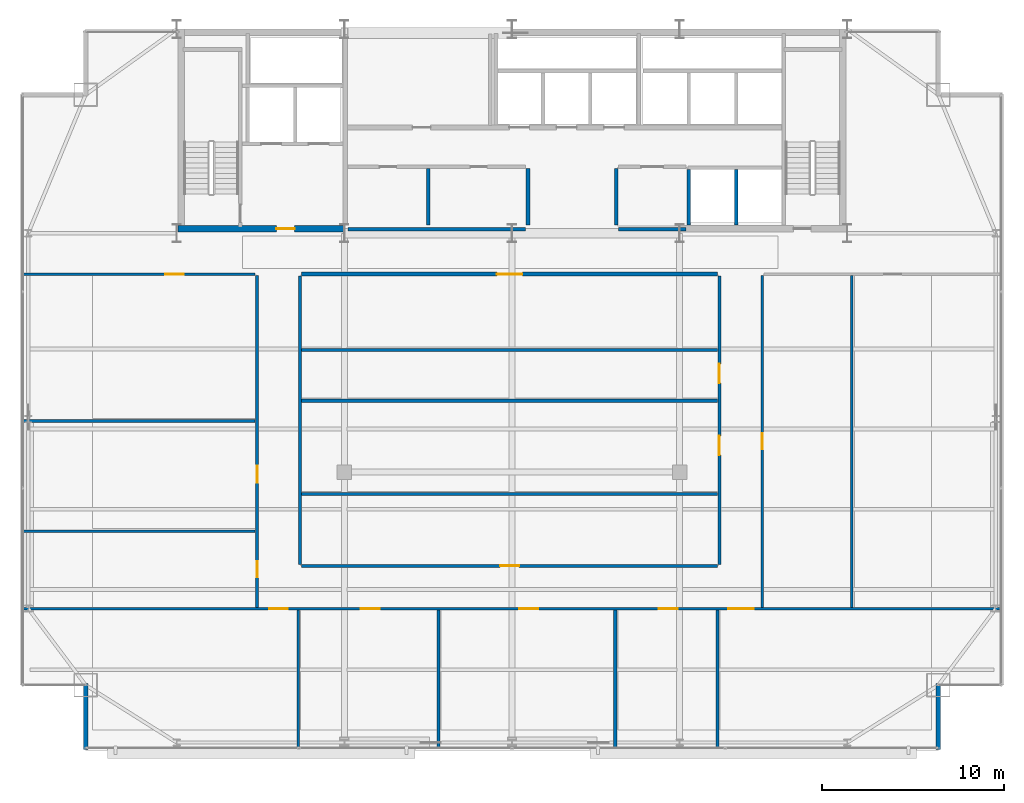
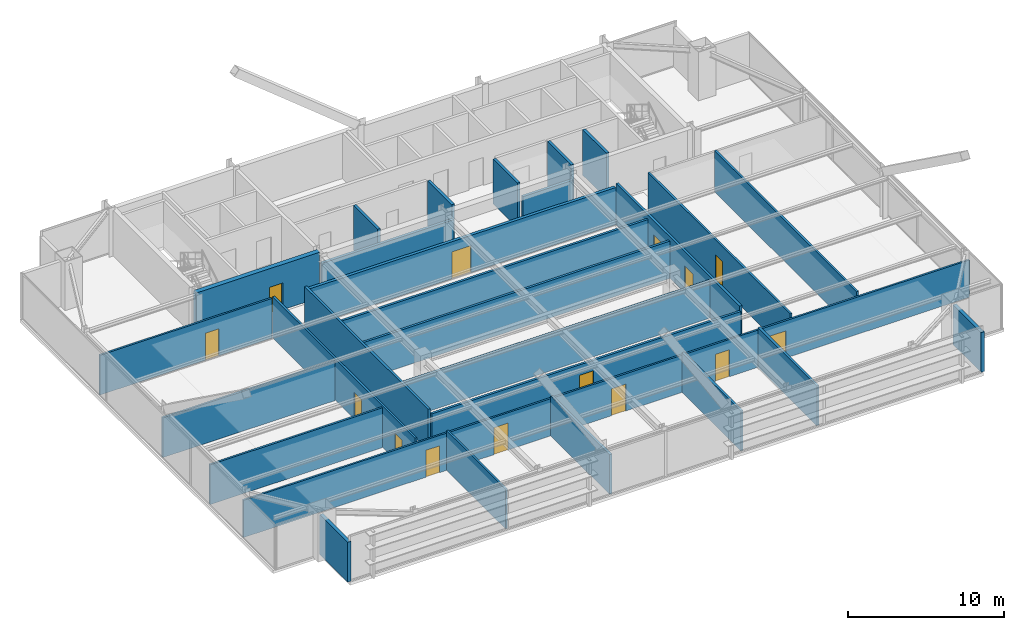
# One storey, part 26 of 30: 28 walls, 14 doors, 14 openings.
"""IFC4 building model written with IfcOpenShell, lengths in metres."""

from ifc_helpers import new_model, si_unit, direction, frame, frame_2d, origin, place, context, subcontext, project, spatial, rectangle, extrude, source, transform, mapped, material, layer, layer_set, type_object, type_shapes, element, fill, save


model = new_model("IFC4")

# Units and contexts
model_context = context("Model", 3, precision=1e-05, world=origin(), true_north=direction((0.0, 1.0)))
body_context = subcontext(model_context, "Body", "Model", "MODEL_VIEW")
ifc_project = project(units=[si_unit("LENGTHUNIT", "METRE"), si_unit("AREAUNIT", "SQUARE_METRE"), si_unit("VOLUMEUNIT", "CUBIC_METRE"), si_unit("PLANEANGLEUNIT", "RADIAN"), si_unit("MASSUNIT", "GRAM", prefix="KILO")], contexts=[model_context])

# Site, building, storey
site_placement = place(None, origin())
site = spatial("IfcSite", under=ifc_project, at=site_placement, CompositionType="ELEMENT")
building_placement = place(site_placement, origin())
building = spatial("IfcBuilding", under=site, at=building_placement, Name="Varnel Quay Broadcast Tower", CompositionType="ELEMENT")
storey_placement = place(building_placement, frame((0.0, 0.0, 180.0)))
storey = spatial("IfcBuildingStorey", under=building, at=storey_placement, Name="L44", CompositionType="ELEMENT", Elevation=180.0)

# Walls
ifc_material_1 = material(Name="Concrete CSA A23.3 C50/60", Category="concrete")
ifc_layer_1 = layer(ifc_material_1, 0.199951171875, Name="Concrete CSA A23.3 C50/60")
ifc_layer_set_1 = layer_set([ifc_layer_1], Name="Concrete CSA A23.3 C50/60")
wall_type_1 = type_object("IfcWallType", Name="Wall_CoreShaftShear200", PredefinedType="SHEAR", material=ifc_layer_set_1)
for number, where, z_axis, x_axis, name in (
    (1, (43.699951171875, 36.050048828125, 0.0), (0.0, 0.0, 1.0), (0.0, 1.0, 0.0), "L44 Express Lift Shaft West Wall"),
    (2, (46.300048828125, 36.050048828125, 0.0), (0.0, 0.0, 1.0), (0.0, 1.0, 0.0), "L44 Express Lift Shaft Divider"),
):
    element("IfcWall", number, at=place(storey_placement, frame(where, z_axis=z_axis, x_axis=x_axis)), inside=storey, type_object=wall_type_1, Name=name, PredefinedType="SHEAR", context=body_context, shape_type="SweptSolid", body=[
        extrude(rectangle(XDim=3.050048828125, YDim=0.199951171875, at=frame_2d((1.52490234375, 0.0))), origin(), (0.0, 0.0, 1.0), 3.550048828125),
    ])

# Wall, opening, door
ifc_layer_2 = layer(ifc_material_1, 0.35009765625, Name="Concrete CSA A23.3 C50/60")
ifc_layer_set_2 = layer_set([ifc_layer_2], Name="Concrete CSA A23.3 C50/60")
wall_type_2 = type_object("IfcWallType", Name="Wall_CoreShearInt350", PredefinedType="SHEAR", material=ifc_layer_set_2)
wall_1_placement = place(storey_placement, frame((15.669921875, 35.844970703125, 0.0), z_axis=(0.0, 0.0, 1.0), x_axis=(1.0, 0.0, 0.0)))
wall_1 = element("IfcWall", 3, at=wall_1_placement, inside=storey, type_object=wall_type_2, Name="L44 South-West Core Shear Wall", PredefinedType="SHEAR", context=body_context, shape_type="SweptSolid", body=[
    extrude(rectangle(XDim=9.130126953125, YDim=0.35009765625, at=frame_2d((4.56494140625, 0.0))), origin(), (0.0, 0.0, 1.0), 3.550048828125),
])
opening_1_placement = place(wall_1_placement, frame((5.39990234375, 0.0, 0.0)))
opening_1 = element("IfcOpeningElement", 4, at=opening_1_placement, cuts=wall_1, Name="Opening D-L44-FFL", PredefinedType="OPENING", context=body_context, shape_type="SweptSolid", body=[
    extrude(rectangle(XDim=1.0, YDim=2.10009765625, at=frame_2d((0.5, 1.050048828125))), frame((0.0, 0.18505859375, 0.0), z_axis=(0.0, -1.0, 0.0), x_axis=(1.0, 0.0, 0.0)), (0.0, 0.0, 1.0), 0.3701171875),
])
ifc_material_2 = material(Name="Insulated Fire-Rated Hollow Steel Door", Category="steel")
door_type_1 = type_object("IfcDoorType", Name="Door_FireLobby1000", OperationType="NOTDEFINED", PredefinedType="DOOR", material=ifc_material_2)
shared_shape_1 = source(origin(), body_context, "Body", "SweptSolid", [
    extrude(rectangle(XDim=1.0, YDim=2.10009765625, at=frame_2d((0.5, 1.050048828125))), frame((0.0, 0.02490234375, 0.0), z_axis=(0.0, -1.0, 0.0), x_axis=(1.0, 0.0, 0.0)), (0.0, 0.0, 1.0), 0.050048828125),
])
type_shapes(door_type_1, [shared_shape_1])
door_1_placement = place(opening_1_placement, origin())
door_1 = element("IfcDoor", 5, at=door_1_placement, inside=storey, type_object=door_type_1, Name="L44 Firefighting Lobby Door", OperationType="SINGLE_SWING_LEFT", OverallHeight=2.10009765625, OverallWidth=1.0, PredefinedType="DOOR", context=body_context, shape_type="MappedRepresentation", body=[
    mapped(shared_shape_1, transform((0.0, 0.0, 0.0), x_axis=(1.0, 0.0, 0.0), y_axis=(0.0, 1.0, 0.0), z_axis=(0.0, 0.0, 1.0), scale=1.0)),
])
fill(opening_1, door_1)

# Walls
ifc_material_3 = material(Name="Precast Architectural Concrete C40/50", Category="concrete")
ifc_layer_3 = layer(ifc_material_3, 0.25, Name="Precast Architectural Concrete C40/50")
ifc_layer_set_3 = layer_set([ifc_layer_3], Name="Precast Architectural Concrete C40/50")
wall_type_3 = type_object("IfcWallType", Name="Wall_ExtTerrace250", PredefinedType="SOLIDWALL", material=ifc_layer_set_3)
for number, where, z_axis, x_axis, name in (
    (6, (10.60009765625, 7.280029296875, 0.0), (0.0, 0.0, 1.0), (0.0, 1.0, 0.0), "L44 Mega-Column Notch Cladding Wall NSW2"),
    (7, (57.39990234375, 7.280029296875, 0.0), (0.0, 0.0, 1.0), (0.0, 1.0, 0.0), "L44 Mega-Column Notch Cladding Wall NSE2"),
):
    element("IfcWall", number, at=place(storey_placement, frame(where, z_axis=z_axis, x_axis=x_axis)), inside=storey, type_object=wall_type_3, Name=name, PredefinedType="SOLIDWALL", context=body_context, shape_type="SweptSolid", body=[
        extrude(rectangle(XDim=3.599853515625, YDim=0.25, at=frame_2d((1.7998046875, 0.0))), origin(), (0.0, 0.0, 1.0), 3.10791015625),
    ])
ifc_material_4 = material(Name="Concrete Blockwork Fire Enclosure C40/50", Category="masonry")
ifc_layer_4 = layer(ifc_material_4, 0.199951171875, Name="Concrete Blockwork Fire Enclosure C40/50")
ifc_layer_set_4 = layer_set([ifc_layer_4], Name="Concrete Blockwork Fire Enclosure C40/50")
wall_type_4 = type_object("IfcWallType", Name="Wall_FireShaft200", PredefinedType="SOLIDWALL", material=ifc_layer_set_4)
wall_2_placement = place(storey_placement, frame((39.85009765625, 35.824951171875, 0.0), z_axis=(0.0, 0.0, 1.0), x_axis=(1.0, 0.0, 0.0)))
element("IfcWall", 8, at=wall_2_placement, inside=storey, type_object=wall_type_4, Name="L44 Electrical Sub-Distribution Closet Partition 5", PredefinedType="SOLIDWALL", context=body_context, shape_type="SweptSolid", body=[
    extrude(rectangle(XDim=3.699951171875, YDim=0.199951171875, at=frame_2d((1.85009765625, 0.0))), origin(), (0.0, 0.0, 1.0), 2.574951171875),
])
wall_3_placement = place(storey_placement, frame((39.72509765625, 36.050048828125, 0.0), z_axis=(0.0, 0.0, 1.0), x_axis=(0.0, 1.0, 0.0)))
element("IfcWall", 9, at=wall_3_placement, inside=storey, type_object=wall_type_4, Name="L44 Electrical Sub-Distribution Closet Partition 7", PredefinedType="SOLIDWALL", context=body_context, shape_type="SweptSolid", body=[
    extrude(rectangle(XDim=3.099853515625, YDim=0.199951171875, at=frame_2d((1.5498046875, 0.0))), origin(), (0.0, 0.0, 1.0), 3.530029296875),
])
ifc_material_5 = material(Name="Steel-Stud Fire-Rated Acoustic Gypsum Partition Assembly", Category="steel")
ifc_layer_5 = layer(ifc_material_5, 0.139892578125, Name="Steel-Stud Fire-Rated Acoustic Gypsum Partition Assembly")
ifc_layer_set_5 = layer_set([ifc_layer_5], Name="Steel-Stud Fire-Rated Acoustic Gypsum Partition Assembly")
wall_type_5 = type_object("IfcWallType", Name="Wall_Partition140", PredefinedType="PARTITIONING", material=ifc_layer_set_5)
wall_4_placement = place(storey_placement, frame((22.260009765625, 7.3798828125, 0.0), z_axis=(0.0, 0.0, 1.0), x_axis=(0.0, 1.0, 0.0)))
element("IfcWall", 10, at=wall_4_placement, inside=storey, type_object=wall_type_5, Name="L44 Reading Lounge 1 Partition 8", PredefinedType="PARTITIONING", context=body_context, shape_type="SweptSolid", body=[
    extrude(rectangle(XDim=7.5400390625, YDim=0.139892578125, at=frame_2d((3.77001953125, 0.0))), origin(), (0.0, 0.0, 1.0), 3.10791015625),
])

# Wall, openings, doors
wall_5_placement = place(storey_placement, frame((7.179931640625, 14.989990234375, 0.0), z_axis=(0.0, 0.0, 1.0), x_axis=(1.0, 0.0, 0.0)))
wall_5 = element("IfcWall", 11, at=wall_5_placement, inside=storey, type_object=wall_type_5, Name="L44 Reading Lounge 1 Partition 9", PredefinedType="PARTITIONING", context=body_context, shape_type="SweptSolid", body=[
    extrude(rectangle(XDim=53.64013671875, YDim=0.139892578125, at=frame_2d((26.820068359375, 0.0))), origin(), (0.0, 0.0, 1.0), 2.908935546875),
])
opening_2_placement = place(wall_5_placement, frame((13.5048828125, 0.0, 0.0)))
opening_2 = element("IfcOpeningElement", 12, at=opening_2_placement, cuts=wall_5, Name="Opening D-L44-04", PredefinedType="OPENING", context=body_context, shape_type="SweptSolid", body=[
    extrude(rectangle(XDim=1.0, YDim=2.10009765625, at=frame_2d((0.5, 1.050048828125))), frame((0.0, 0.080078125, 0.0), z_axis=(0.0, -1.0, 0.0), x_axis=(1.0, 0.0, 0.0)), (0.0, 0.0, 1.0), 0.159912109375),
])
opening_3_placement = place(wall_5_placement, frame((18.510009765625, 0.0, 0.0)))
opening_3 = element("IfcOpeningElement", 13, at=opening_3_placement, cuts=wall_5, Name="Opening D-L44-05", PredefinedType="OPENING", context=body_context, shape_type="SweptSolid", body=[
    extrude(rectangle(XDim=1.050048828125, YDim=2.10009765625, at=frame_2d((0.52490234375, 1.050048828125))), frame((0.0, 0.080078125, 0.0), z_axis=(0.0, -1.0, 0.0), x_axis=(1.0, 0.0, 0.0)), (0.0, 0.0, 1.0), 0.159912109375),
])
opening_4_placement = place(wall_5_placement, frame((27.215087890625, 0.0, 0.0)))
opening_4 = element("IfcOpeningElement", 14, at=opening_4_placement, cuts=wall_5, Name="Opening D-L44-06", PredefinedType="OPENING", context=body_context, shape_type="SweptSolid", body=[
    extrude(rectangle(XDim=1.050048828125, YDim=2.10009765625, at=frame_2d((0.52490234375, 1.050048828125))), frame((0.0, 0.080078125, 0.0), z_axis=(0.0, -1.0, 0.0), x_axis=(1.0, 0.0, 0.0)), (0.0, 0.0, 1.0), 0.159912109375),
])
opening_5_placement = place(wall_5_placement, frame((34.8701171875, 0.0, 0.0)))
opening_5 = element("IfcOpeningElement", 15, at=opening_5_placement, cuts=wall_5, Name="Opening D-L44-07", PredefinedType="OPENING", context=body_context, shape_type="SweptSolid", body=[
    extrude(rectangle(XDim=1.050048828125, YDim=2.10009765625, at=frame_2d((0.52490234375, 1.050048828125))), frame((0.0, 0.080078125, 0.0), z_axis=(0.0, -1.0, 0.0), x_axis=(1.0, 0.0, 0.0)), (0.0, 0.0, 1.0), 0.159912109375),
])
opening_6_placement = place(wall_5_placement, frame((38.675048828125, 0.0, 0.0)))
opening_6 = element("IfcOpeningElement", 16, at=opening_6_placement, cuts=wall_5, Name="Opening D-L44-08", PredefinedType="OPENING", context=body_context, shape_type="SweptSolid", body=[
    extrude(rectangle(XDim=1.39990234375, YDim=2.1201171875, at=frame_2d((0.699951171875, 1.06005859375))), frame((0.0, 0.080078125, 0.0), z_axis=(0.0, -1.0, 0.0), x_axis=(1.0, 0.0, 0.0)), (0.0, 0.0, 1.0), 0.159912109375),
])
ifc_material_6 = material(Name="Solid-Core Fire-Rated Acoustic Oak Veneer Door", Category="wood")
door_type_2 = type_object("IfcDoorType", Name="Door_Exec1000", OperationType="NOTDEFINED", PredefinedType="DOOR", material=ifc_material_6)
shared_shape_2 = source(origin(), body_context, "Body", "SweptSolid", [
    extrude(rectangle(XDim=1.0, YDim=2.10009765625, at=frame_2d((0.5, 1.050048828125))), frame((0.0, 0.02490234375, 0.0), z_axis=(0.0, -1.0, 0.0), x_axis=(1.0, 0.0, 0.0)), (0.0, 0.0, 1.0), 0.050048828125),
])
type_shapes(door_type_2, [shared_shape_2])
door_2_placement = place(opening_2_placement, frame((1.0, 0.0, 0.0), z_axis=(0.0, 0.0, 1.0), x_axis=(-1.0, 0.0, 0.0)))
door_2 = element("IfcDoor", 17, at=door_2_placement, inside=storey, type_object=door_type_2, Name="L44 Reading Lounge 1 Door D-L44-04", OperationType="SINGLE_SWING_LEFT", OverallHeight=2.10009765625, OverallWidth=1.0, PredefinedType="DOOR", context=body_context, shape_type="MappedRepresentation", body=[
    mapped(shared_shape_2, transform((0.0, 0.0, 0.0), x_axis=(1.0, 0.0, 0.0), y_axis=(0.0, 1.0, 0.0), z_axis=(0.0, 0.0, 1.0), scale=1.0)),
])
fill(opening_2, door_2)
door_type_3 = type_object("IfcDoorType", Name="Door_Meeting1050", OperationType="NOTDEFINED", PredefinedType="DOOR", material=ifc_material_6)
shared_shape_3 = source(origin(), body_context, "Body", "SweptSolid", [
    extrude(rectangle(XDim=1.050048828125, YDim=2.10009765625, at=frame_2d((0.52490234375, 1.050048828125))), frame((0.0, 0.02490234375, 0.0), z_axis=(0.0, -1.0, 0.0), x_axis=(1.0, 0.0, 0.0)), (0.0, 0.0, 1.0), 0.050048828125),
])
type_shapes(door_type_3, [shared_shape_3])
door_3_placement = place(opening_3_placement, frame((1.050048828125, 0.0, 0.0), z_axis=(0.0, 0.0, 1.0), x_axis=(-1.0, 0.0, 0.0)))
door_3 = element("IfcDoor", 18, at=door_3_placement, inside=storey, type_object=door_type_3, Name="L44 Broadcast Seminar Room 2 Door D-L44-05", OperationType="SINGLE_SWING_RIGHT", OverallHeight=2.10009765625, OverallWidth=1.050048828125, PredefinedType="DOOR", context=body_context, shape_type="MappedRepresentation", body=[
    mapped(shared_shape_3, transform((0.0, 0.0, 0.0), x_axis=(1.0, 0.0, 0.0), y_axis=(0.0, 1.0, 0.0), z_axis=(0.0, 0.0, 1.0), scale=1.0)),
])
fill(opening_3, door_3)
door_4_placement = place(opening_4_placement, frame((1.050048828125, 0.0, 0.0), z_axis=(0.0, 0.0, 1.0), x_axis=(-1.0, 0.0, 0.0)))
door_4 = element("IfcDoor", 19, at=door_4_placement, inside=storey, type_object=door_type_3, Name="L44 Press Briefing Room 3 Door D-L44-06", OperationType="SINGLE_SWING_LEFT", OverallHeight=2.10009765625, OverallWidth=1.050048828125, PredefinedType="DOOR", context=body_context, shape_type="MappedRepresentation", body=[
    mapped(shared_shape_3, transform((0.0, 0.0, 0.0), x_axis=(1.0, 0.0, 0.0), y_axis=(0.0, 1.0, 0.0), z_axis=(0.0, 0.0, 1.0), scale=1.0)),
])
fill(opening_4, door_4)
door_5_placement = place(opening_5_placement, frame((1.050048828125, 0.0, 0.0), z_axis=(0.0, 0.0, 1.0), x_axis=(-1.0, 0.0, 0.0)))
door_5 = element("IfcDoor", 20, at=door_5_placement, inside=storey, type_object=door_type_3, Name="L44 Editorial Huddle Room 4 Door D-L44-07", OperationType="SINGLE_SWING_RIGHT", OverallHeight=2.10009765625, OverallWidth=1.050048828125, PredefinedType="DOOR", context=body_context, shape_type="MappedRepresentation", body=[
    mapped(shared_shape_3, transform((0.0, 0.0, 0.0), x_axis=(1.0, 0.0, 0.0), y_axis=(0.0, 1.0, 0.0), z_axis=(0.0, 0.0, 1.0), scale=1.0)),
])
fill(opening_5, door_5)
door_type_4 = type_object("IfcDoorType", Name="Door_Gallery1400", OperationType="DOUBLE_DOOR_SINGLE_SWING", PredefinedType="DOOR", material=ifc_material_6)
shared_shape_4 = source(origin(), body_context, "Body", "SweptSolid", [
    extrude(rectangle(XDim=1.39990234375, YDim=2.1201171875, at=frame_2d((0.699951171875, 1.06005859375))), frame((0.0, 0.02490234375, 0.0), z_axis=(0.0, -1.0, 0.0), x_axis=(1.0, 0.0, 0.0)), (0.0, 0.0, 1.0), 0.050048828125),
])
type_shapes(door_type_4, [shared_shape_4])
door_6_placement = place(opening_6_placement, frame((1.39990234375, 0.0, 0.0), z_axis=(0.0, 0.0, 1.0), x_axis=(-1.0, 0.0, 0.0)))
door_6 = element("IfcDoor", 21, at=door_6_placement, inside=storey, type_object=door_type_4, Name="L44 Journalism Training Studio 5 Door D-L44-08", OperationType="DOUBLE_DOOR_SINGLE_SWING", OverallHeight=2.1201171875, OverallWidth=1.39990234375, PredefinedType="DOOR", context=body_context, shape_type="MappedRepresentation", body=[
    mapped(shared_shape_4, transform((0.0, 0.0, 0.0), x_axis=(1.0, 0.0, 0.0), y_axis=(0.0, 1.0, 0.0), z_axis=(0.0, 0.0, 1.0), scale=1.0)),
])
fill(opening_6, door_6)

# Wall, opening, door
wall_6_placement = place(storey_placement, frame((7.179931640625, 33.35009765625, 0.0), z_axis=(0.0, 0.0, 1.0), x_axis=(1.0, 0.0, 0.0)))
wall_6 = element("IfcWall", 22, at=wall_6_placement, inside=storey, type_object=wall_type_5, Name="L44 Reading Lounge 8 Partition 16", PredefinedType="PARTITIONING", context=body_context, shape_type="SweptSolid", body=[
    extrude(rectangle(XDim=12.72998046875, YDim=0.139892578125, at=frame_2d((6.364990234375, 0.0))), origin(), (0.0, 0.0, 1.0), 3.10791015625),
])
opening_7_placement = place(wall_6_placement, frame((7.800048828125, 0.0, 0.0)))
opening_7 = element("IfcOpeningElement", 23, at=opening_7_placement, cuts=wall_6, Name="Opening D-L44-11", PredefinedType="OPENING", context=body_context, shape_type="SweptSolid", body=[
    extrude(rectangle(XDim=1.0, YDim=2.10009765625, at=frame_2d((0.5, 1.050048828125))), frame((0.0, 0.080078125, 0.0), z_axis=(0.0, -1.0, 0.0), x_axis=(1.0, 0.0, 0.0)), (0.0, 0.0, 1.0), 0.159912109375),
])
door_7_placement = place(opening_7_placement, frame((1.0, 0.0, 0.0), z_axis=(0.0, 0.0, 1.0), x_axis=(-1.0, 0.0, 0.0)))
door_7 = element("IfcDoor", 24, at=door_7_placement, inside=storey, type_object=door_type_2, Name="L44 Reading Lounge 8 Door D-L44-11", OperationType="SINGLE_SWING_LEFT", OverallHeight=2.10009765625, OverallWidth=1.0, PredefinedType="DOOR", context=body_context, shape_type="MappedRepresentation", body=[
    mapped(shared_shape_2, transform((0.0, 0.0, 0.0), x_axis=(1.0, 0.0, 0.0), y_axis=(0.0, 1.0, 0.0), z_axis=(0.0, 0.0, 1.0), scale=1.0)),
])
fill(opening_7, door_7)

# Wall, openings, doors
ifc_layer_6 = layer(ifc_material_5, 0.14990234375, Name="Steel-Stud Fire-Rated Acoustic Gypsum Partition Assembly")
ifc_layer_set_6 = layer_set([ifc_layer_6], Name="Steel-Stud Fire-Rated Acoustic Gypsum Partition Assembly")
wall_type_6 = type_object("IfcWallType", Name="Wall_Partition150", PredefinedType="PARTITIONING", material=ifc_layer_set_6)
wall_7_placement = place(storey_placement, frame((20.010009765625, 15.06005859375, 0.0), z_axis=(0.0, 0.0, 1.0), x_axis=(0.0, 1.0, 0.0)))
wall_7 = element("IfcWall", 25, at=wall_7_placement, inside=storey, type_object=wall_type_6, Name="L44 Catering Kitchen 6 Partition 13", PredefinedType="PARTITIONING", context=body_context, shape_type="SweptSolid", body=[
    extrude(rectangle(XDim=18.219970703125, YDim=0.14990234375, at=frame_2d((9.10986328125, 0.0))), origin(), (0.0, 0.0, 1.0), 3.221923828125),
])
opening_8_placement = place(wall_7_placement, frame((1.669921875, 0.0, 0.0)))
opening_8 = element("IfcOpeningElement", 26, at=opening_8_placement, cuts=wall_7, Name="Opening D-L44-09", PredefinedType="OPENING", context=body_context, shape_type="SweptSolid", body=[
    extrude(rectangle(XDim=0.8798828125, YDim=2.06005859375, at=frame_2d((0.43994140625, 1.030029296875))), frame((0.0, 0.0849609375, 0.0), z_axis=(0.0, -1.0, 0.0), x_axis=(1.0, 0.0, 0.0)), (0.0, 0.0, 1.0), 0.169921875),
])
opening_9_placement = place(wall_7_placement, frame((6.85498046875, 0.0, 0.0)))
opening_9 = element("IfcOpeningElement", 27, at=opening_9_placement, cuts=wall_7, Name="Opening D-L44-10", PredefinedType="OPENING", context=body_context, shape_type="SweptSolid", body=[
    extrude(rectangle(XDim=0.919921875, YDim=2.080078125, at=frame_2d((0.4599609375, 1.0400390625))), frame((0.0, 0.0849609375, 0.0), z_axis=(0.0, -1.0, 0.0), x_axis=(1.0, 0.0, 0.0)), (0.0, 0.0, 1.0), 0.169921875),
])
door_type_5 = type_object("IfcDoorType", Name="Door_Booth880", OperationType="NOTDEFINED", PredefinedType="DOOR", material=ifc_material_6)
shared_shape_5 = source(origin(), body_context, "Body", "SweptSolid", [
    extrude(rectangle(XDim=0.8798828125, YDim=2.06005859375, at=frame_2d((0.43994140625, 1.030029296875))), frame((0.0, 0.02490234375, 0.0), z_axis=(0.0, -1.0, 0.0), x_axis=(1.0, 0.0, 0.0)), (0.0, 0.0, 1.0), 0.050048828125),
])
type_shapes(door_type_5, [shared_shape_5])
door_8_placement = place(opening_8_placement, origin())
door_8 = element("IfcDoor", 28, at=door_8_placement, inside=storey, type_object=door_type_5, Name="L44 Catering Kitchen 6 Door D-L44-09", OperationType="SINGLE_SWING_LEFT", OverallHeight=2.06005859375, OverallWidth=0.8798828125, PredefinedType="DOOR", context=body_context, shape_type="MappedRepresentation", body=[
    mapped(shared_shape_5, transform((0.0, 0.0, 0.0), x_axis=(1.0, 0.0, 0.0), y_axis=(0.0, 1.0, 0.0), z_axis=(0.0, 0.0, 1.0), scale=1.0)),
])
fill(opening_8, door_8)
door_type_6 = type_object("IfcDoorType", Name="Door_Office920", OperationType="NOTDEFINED", PredefinedType="DOOR", material=ifc_material_6)
shared_shape_6 = source(origin(), body_context, "Body", "SweptSolid", [
    extrude(rectangle(XDim=0.919921875, YDim=2.080078125, at=frame_2d((0.4599609375, 1.0400390625))), frame((0.0, 0.02490234375, 0.0), z_axis=(0.0, -1.0, 0.0), x_axis=(1.0, 0.0, 0.0)), (0.0, 0.0, 1.0), 0.050048828125),
])
type_shapes(door_type_6, [shared_shape_6])
door_9_placement = place(opening_9_placement, origin())
door_9 = element("IfcDoor", 29, at=door_9_placement, inside=storey, type_object=door_type_6, Name="L44 Bureau Office 7 Door D-L44-10", OperationType="SINGLE_SWING_RIGHT", OverallHeight=2.080078125, OverallWidth=0.919921875, PredefinedType="DOOR", context=body_context, shape_type="MappedRepresentation", body=[
    mapped(shared_shape_6, transform((0.0, 0.0, 0.0), x_axis=(1.0, 0.0, 0.0), y_axis=(0.0, 1.0, 0.0), z_axis=(0.0, 0.0, 1.0), scale=1.0)),
])
fill(opening_9, door_9)

# Walls
for number, where, z_axis, x_axis, name in (
    (30, (7.179931640625, 19.25, 0.0), (0.0, 0.0, 1.0), (1.0, 0.0, 0.0), "L44 Catering Kitchen 6 Partition 14"),
    (31, (7.179931640625, 25.300048828125, 0.0), (0.0, 0.0, 1.0), (1.0, 0.0, 0.0), "L44 Bureau Office 7 Partition 15"),
):
    element("IfcWall", number, at=place(storey_placement, frame(where, z_axis=z_axis, x_axis=x_axis)), inside=storey, type_object=wall_type_6, Name=name, PredefinedType="PARTITIONING", context=body_context, shape_type="SweptSolid", body=[
        extrude(rectangle(XDim=12.72998046875, YDim=0.14990234375, at=frame_2d((6.364990234375, 0.0))), origin(), (0.0, 0.0, 1.0), 3.10791015625),
    ])
wall_8_placement = place(storey_placement, frame((52.64990234375, 15.06005859375, 0.0), z_axis=(0.0, 0.0, 1.0), x_axis=(0.0, 1.0, 0.0)))
element("IfcWall", 32, at=wall_8_placement, inside=storey, type_object=wall_type_6, Name="L44 Catering Kitchen 13 Partition 24", PredefinedType="PARTITIONING", context=body_context, shape_type="SweptSolid", body=[
    extrude(rectangle(XDim=18.21484375, YDim=0.14990234375, at=frame_2d((9.107421875, 0.0))), origin(), (0.0, 0.0, 1.0), 3.221923828125),
])

# Wall, opening, door
wall_9_placement = place(storey_placement, frame((47.72998046875, 15.06005859375, 0.0), z_axis=(0.0, 0.0, 1.0), x_axis=(0.0, 1.0, 0.0)))
wall_9 = element("IfcWall", 33, at=wall_9_placement, inside=storey, type_object=wall_type_6, Name="L44 Catering Kitchen 13 Partition 26", PredefinedType="PARTITIONING", context=body_context, shape_type="SweptSolid", body=[
    extrude(rectangle(XDim=18.21484375, YDim=0.14990234375, at=frame_2d((9.107421875, 0.0))), origin(), (0.0, 0.0, 1.0), 3.221923828125),
])
opening_10_placement = place(wall_9_placement, frame((8.669921875, 0.0, 0.0)))
opening_10 = element("IfcOpeningElement", 34, at=opening_10_placement, cuts=wall_9, Name="Opening D-L44-16", PredefinedType="OPENING", context=body_context, shape_type="SweptSolid", body=[
    extrude(rectangle(XDim=0.8798828125, YDim=2.06005859375, at=frame_2d((0.43994140625, 1.030029296875))), frame((0.0, 0.0849609375, 0.0), z_axis=(0.0, -1.0, 0.0), x_axis=(1.0, 0.0, 0.0)), (0.0, 0.0, 1.0), 0.169921875),
])
door_10_placement = place(opening_10_placement, frame((0.8798828125, 0.0, 0.0), z_axis=(0.0, 0.0, 1.0), x_axis=(-1.0, 0.0, 0.0)))
door_10 = element("IfcDoor", 35, at=door_10_placement, inside=storey, type_object=door_type_5, Name="L44 Catering Kitchen 13 Door D-L44-16", OperationType="SINGLE_SWING_LEFT", OverallHeight=2.06005859375, OverallWidth=0.8798828125, PredefinedType="DOOR", context=body_context, shape_type="MappedRepresentation", body=[
    mapped(shared_shape_5, transform((0.0, 0.0, 0.0), x_axis=(1.0, 0.0, 0.0), y_axis=(0.0, 1.0, 0.0), z_axis=(0.0, 0.0, 1.0), scale=1.0)),
])
fill(opening_10, door_10)

# Walls
ifc_layer_7 = layer(ifc_material_5, 0.175048828125, Name="Steel-Stud Fire-Rated Acoustic Gypsum Partition Assembly")
ifc_layer_set_7 = layer_set([ifc_layer_7], Name="Steel-Stud Fire-Rated Acoustic Gypsum Partition Assembly")
wall_type_7 = type_object("IfcWallType", Name="Wall_Partition175", PredefinedType="PARTITIONING", material=ifc_layer_set_7)
for number, where, z_axis, x_axis, name in (
    (36, (29.969970703125, 7.3798828125, 0.0), (0.0, 0.0, 1.0), (0.0, 1.0, 0.0), "L44 Broadcast Seminar Room 2 Partition 10"),
    (37, (39.669921875, 7.3798828125, 0.0), (0.0, 0.0, 1.0), (0.0, 1.0, 0.0), "L44 Press Briefing Room 3 Partition 11"),
    (38, (45.280029296875, 7.3798828125, 0.0), (0.0, 0.0, 1.0), (0.0, 1.0, 0.0), "L44 Editorial Huddle Room 4 Partition 12"),
):
    element("IfcWall", number, at=place(storey_placement, frame(where, z_axis=z_axis, x_axis=x_axis)), inside=storey, type_object=wall_type_7, Name=name, PredefinedType="PARTITIONING", context=body_context, shape_type="SweptSolid", body=[
        extrude(rectangle(XDim=7.5400390625, YDim=0.175048828125, at=frame_2d((3.77001953125, 0.0))), origin(), (0.0, 0.0, 1.0), 3.10791015625),
    ])

# Wall, opening, door
wall_10_placement = place(storey_placement, frame((22.4599609375, 17.340087890625, 0.0), z_axis=(0.0, 0.0, 1.0), x_axis=(1.0, 0.0, 0.0)))
wall_10 = element("IfcWall", 39, at=wall_10_placement, inside=storey, type_object=wall_type_7, Name="L44 Broadcast Seminar Room 9 Partition 17", PredefinedType="PARTITIONING", context=body_context, shape_type="SweptSolid", body=[
    extrude(rectangle(XDim=22.820068359375, YDim=0.175048828125, at=frame_2d((11.41015625, 0.0))), origin(), (0.0, 0.0, 1.0), 2.908935546875),
])
opening_11_placement = place(wall_10_placement, frame((10.885009765625, 0.0, 0.0)))
opening_11 = element("IfcOpeningElement", 40, at=opening_11_placement, cuts=wall_10, Name="Opening D-L44-12", PredefinedType="OPENING", context=body_context, shape_type="SweptSolid", body=[
    extrude(rectangle(XDim=1.050048828125, YDim=2.10009765625, at=frame_2d((0.52490234375, 1.050048828125))), frame((0.0, 0.09765625, 0.0), z_axis=(0.0, -1.0, 0.0), x_axis=(1.0, 0.0, 0.0)), (0.0, 0.0, 1.0), 0.195068359375),
])
door_11_placement = place(opening_11_placement, origin())
door_11 = element("IfcDoor", 41, at=door_11_placement, inside=storey, type_object=door_type_3, Name="L44 Broadcast Seminar Room 9 Door D-L44-12", OperationType="SINGLE_SWING_RIGHT", OverallHeight=2.10009765625, OverallWidth=1.050048828125, PredefinedType="DOOR", context=body_context, shape_type="MappedRepresentation", body=[
    mapped(shared_shape_3, transform((0.0, 0.0, 0.0), x_axis=(1.0, 0.0, 0.0), y_axis=(0.0, 1.0, 0.0), z_axis=(0.0, 0.0, 1.0), scale=1.0)),
])
fill(opening_11, door_11)

# Wall, openings, doors
wall_11_placement = place(storey_placement, frame((45.3798828125, 17.427001953125, 0.0), z_axis=(0.0, 0.0, 1.0), x_axis=(0.0, 1.0, 0.0)))
wall_11 = element("IfcWall", 42, at=wall_11_placement, inside=storey, type_object=wall_type_7, Name="L44 Broadcast Seminar Room 9 Partition 18", PredefinedType="PARTITIONING", context=body_context, shape_type="SweptSolid", body=[
    extrude(rectangle(XDim=15.81103515625, YDim=0.175048828125, at=frame_2d((7.905517578125, 0.0))), origin(), (0.0, 0.0, 1.0), 3.221923828125),
])
opening_12_placement = place(wall_11_placement, frame((5.998046875, 0.0, 0.0)))
opening_12 = element("IfcOpeningElement", 43, at=opening_12_placement, cuts=wall_11, Name="Opening D-L44-13", PredefinedType="OPENING", context=body_context, shape_type="SweptSolid", body=[
    extrude(rectangle(XDim=1.050048828125, YDim=2.10009765625, at=frame_2d((0.52490234375, 1.050048828125))), frame((0.0, 0.09765625, 0.0), z_axis=(0.0, -1.0, 0.0), x_axis=(1.0, 0.0, 0.0)), (0.0, 0.0, 1.0), 0.195068359375),
])
opening_13_placement = place(wall_11_placement, frame((9.947998046875, 0.0, 0.0)))
opening_13 = element("IfcOpeningElement", 44, at=opening_13_placement, cuts=wall_11, Name="Opening D-L44-14", PredefinedType="OPENING", context=body_context, shape_type="SweptSolid", body=[
    extrude(rectangle(XDim=1.050048828125, YDim=2.10009765625, at=frame_2d((0.52490234375, 1.050048828125))), frame((0.0, 0.09765625, 0.0), z_axis=(0.0, -1.0, 0.0), x_axis=(1.0, 0.0, 0.0)), (0.0, 0.0, 1.0), 0.195068359375),
])
door_12_placement = place(opening_12_placement, origin())
door_12 = element("IfcDoor", 45, at=door_12_placement, inside=storey, type_object=door_type_3, Name="L44 Press Briefing Room 10 Door D-L44-13", OperationType="SINGLE_SWING_LEFT", OverallHeight=2.10009765625, OverallWidth=1.050048828125, PredefinedType="DOOR", context=body_context, shape_type="MappedRepresentation", body=[
    mapped(shared_shape_3, transform((0.0, 0.0, 0.0), x_axis=(1.0, 0.0, 0.0), y_axis=(0.0, 1.0, 0.0), z_axis=(0.0, 0.0, 1.0), scale=1.0)),
])
fill(opening_12, door_12)
door_13_placement = place(opening_13_placement, origin())
door_13 = element("IfcDoor", 46, at=door_13_placement, inside=storey, type_object=door_type_3, Name="L44 Editorial Huddle Room 11 Door D-L44-14", OperationType="SINGLE_SWING_RIGHT", OverallHeight=2.10009765625, OverallWidth=1.050048828125, PredefinedType="DOOR", context=body_context, shape_type="MappedRepresentation", body=[
    mapped(shared_shape_3, transform((0.0, 0.0, 0.0), x_axis=(1.0, 0.0, 0.0), y_axis=(0.0, 1.0, 0.0), z_axis=(0.0, 0.0, 1.0), scale=1.0)),
])
fill(opening_13, door_13)

# Walls
wall_12_placement = place(storey_placement, frame((22.4599609375, 21.2900390625, 0.0), z_axis=(0.0, 0.0, 1.0), x_axis=(1.0, 0.0, 0.0)))
element("IfcWall", 47, at=wall_12_placement, inside=storey, type_object=wall_type_7, Name="L44 Broadcast Seminar Room 9 Partition 19", PredefinedType="PARTITIONING", context=body_context, shape_type="SweptSolid", body=[
    extrude(rectangle(XDim=22.820068359375, YDim=0.175048828125, at=frame_2d((11.41015625, 0.0))), origin(), (0.0, 0.0, 1.0), 2.908935546875),
])
wall_13_placement = place(storey_placement, frame((22.360107421875, 17.427001953125, 0.0), z_axis=(0.0, 0.0, 1.0), x_axis=(0.0, 1.0, 0.0)))
element("IfcWall", 48, at=wall_13_placement, inside=storey, type_object=wall_type_7, Name="L44 Broadcast Seminar Room 9 Partition 20", PredefinedType="PARTITIONING", context=body_context, shape_type="SweptSolid", body=[
    extrude(rectangle(XDim=15.81103515625, YDim=0.175048828125, at=frame_2d((7.905517578125, 0.0))), origin(), (0.0, 0.0, 1.0), 3.221923828125),
])
for number, where, z_axis, x_axis, name in (
    (49, (22.4599609375, 26.409912109375, 0.0), (0.0, 0.0, 1.0), (1.0, 0.0, 0.0), "L44 Press Briefing Room 10 Partition 21"),
    (50, (22.4599609375, 29.18994140625, 0.0), (0.0, 0.0, 1.0), (1.0, 0.0, 0.0), "L44 Editorial Huddle Room 11 Partition 22"),
):
    element("IfcWall", number, at=place(storey_placement, frame(where, z_axis=z_axis, x_axis=x_axis)), inside=storey, type_object=wall_type_7, Name=name, PredefinedType="PARTITIONING", context=body_context, shape_type="SweptSolid", body=[
        extrude(rectangle(XDim=22.820068359375, YDim=0.175048828125, at=frame_2d((11.41015625, 0.0))), origin(), (0.0, 0.0, 1.0), 2.908935546875),
    ])

# Wall, opening, door
ifc_layer_8 = layer(ifc_material_5, 0.22509765625, Name="Steel-Stud Fire-Rated Acoustic Gypsum Partition Assembly")
ifc_layer_set_8 = layer_set([ifc_layer_8], Name="Steel-Stud Fire-Rated Acoustic Gypsum Partition Assembly")
wall_type_8 = type_object("IfcWallType", Name="Wall_Partition225", PredefinedType="PARTITIONING", material=ifc_layer_set_8)
wall_14_placement = place(storey_placement, frame((22.4599609375, 33.35009765625, 0.0), z_axis=(0.0, 0.0, 1.0), x_axis=(1.0, 0.0, 0.0)))
wall_14 = element("IfcWall", 51, at=wall_14_placement, inside=storey, type_object=wall_type_8, Name="L44 Journalism Training Studio 12 Partition 23", PredefinedType="PARTITIONING", context=body_context, shape_type="SweptSolid", body=[
    extrude(rectangle(XDim=22.820068359375, YDim=0.22509765625, at=frame_2d((11.41015625, 0.0))), origin(), (0.0, 0.0, 1.0), 2.908935546875),
])
opening_14_placement = place(wall_14_placement, frame((10.7099609375, 0.0, 0.0)))
opening_14 = element("IfcOpeningElement", 52, at=opening_14_placement, cuts=wall_14, Name="Opening D-L44-15", PredefinedType="OPENING", context=body_context, shape_type="SweptSolid", body=[
    extrude(rectangle(XDim=1.39990234375, YDim=2.1201171875, at=frame_2d((0.699951171875, 1.06005859375))), frame((0.0, 0.12255859375, 0.0), z_axis=(0.0, -1.0, 0.0), x_axis=(1.0, 0.0, 0.0)), (0.0, 0.0, 1.0), 0.2451171875),
])
door_14_placement = place(opening_14_placement, frame((1.39990234375, 0.0, 0.0), z_axis=(0.0, 0.0, 1.0), x_axis=(-1.0, 0.0, 0.0)))
door_14 = element("IfcDoor", 53, at=door_14_placement, inside=storey, type_object=door_type_4, Name="L44 Journalism Training Studio 12 Door D-L44-15", OperationType="DOUBLE_DOOR_SINGLE_SWING", OverallHeight=2.1201171875, OverallWidth=1.39990234375, PredefinedType="DOOR", context=body_context, shape_type="MappedRepresentation", body=[
    mapped(shared_shape_4, transform((0.0, 0.0, 0.0), x_axis=(1.0, 0.0, 0.0), y_axis=(0.0, 1.0, 0.0), z_axis=(0.0, 0.0, 1.0), scale=1.0)),
])
fill(opening_14, door_14)

# Walls
ifc_material_7 = material(Name="Fire-Rated Moisture-Resistant Plumbing Chase Partition")
ifc_layer_9 = layer(ifc_material_7, 0.199951171875, Name="Fire-Rated Moisture-Resistant Plumbing Chase Partition")
ifc_layer_set_9 = layer_set([ifc_layer_9], Name="Fire-Rated Moisture-Resistant Plumbing Chase Partition")
wall_type_9 = type_object("IfcWallType", Name="Wall_Plumbing200", PredefinedType="PLUMBINGWALL", material=ifc_layer_set_9)
wall_15_placement = place(storey_placement, frame((25.0, 35.824951171875, 0.0), z_axis=(0.0, 0.0, 1.0), x_axis=(1.0, 0.0, 0.0)))
element("IfcWall", 54, at=wall_15_placement, inside=storey, type_object=wall_type_9, Name="L44 Accessible Washroom Partition 1", PredefinedType="PLUMBINGWALL", context=body_context, shape_type="SweptSolid", body=[
    extrude(rectangle(XDim=9.75, YDim=0.199951171875, at=frame_2d((4.875, 0.0))), origin(), (0.0, 0.0, 1.0), 2.574951171875),
])
for number, where, z_axis, x_axis, name in (
    (55, (29.39990234375, 36.050048828125, 0.0), (0.0, 0.0, 1.0), (0.0, 1.0, 0.0), "L44 Accessible Washroom Partition 2"),
    (56, (34.875, 36.050048828125, 0.0), (0.0, 0.0, 1.0), (0.0, 1.0, 0.0), "L44 Staff Washrooms Partition 4"),
):
    element("IfcWall", number, at=place(storey_placement, frame(where, z_axis=z_axis, x_axis=x_axis)), inside=storey, type_object=wall_type_9, Name=name, PredefinedType="PLUMBINGWALL", context=body_context, shape_type="SweptSolid", body=[
        extrude(rectangle(XDim=3.099853515625, YDim=0.199951171875, at=frame_2d((1.5498046875, 0.0))), origin(), (0.0, 0.0, 1.0), 3.530029296875),
    ])

save(model, "model.ifc")
